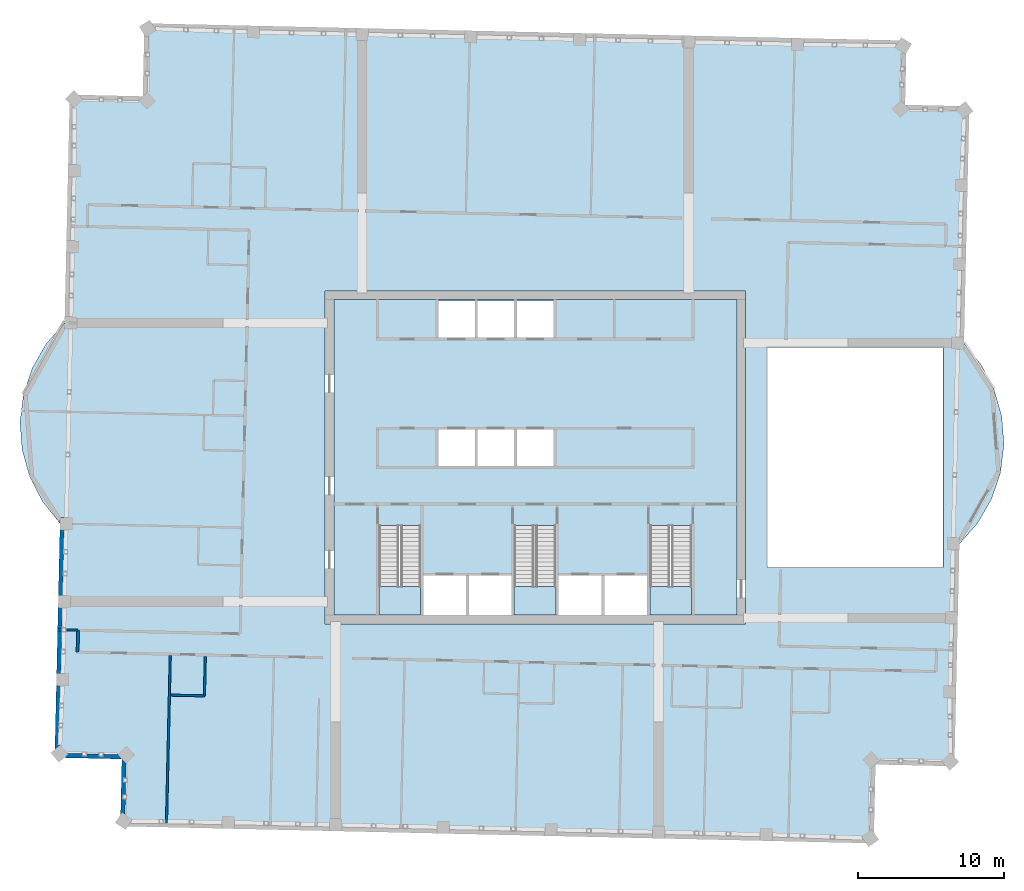
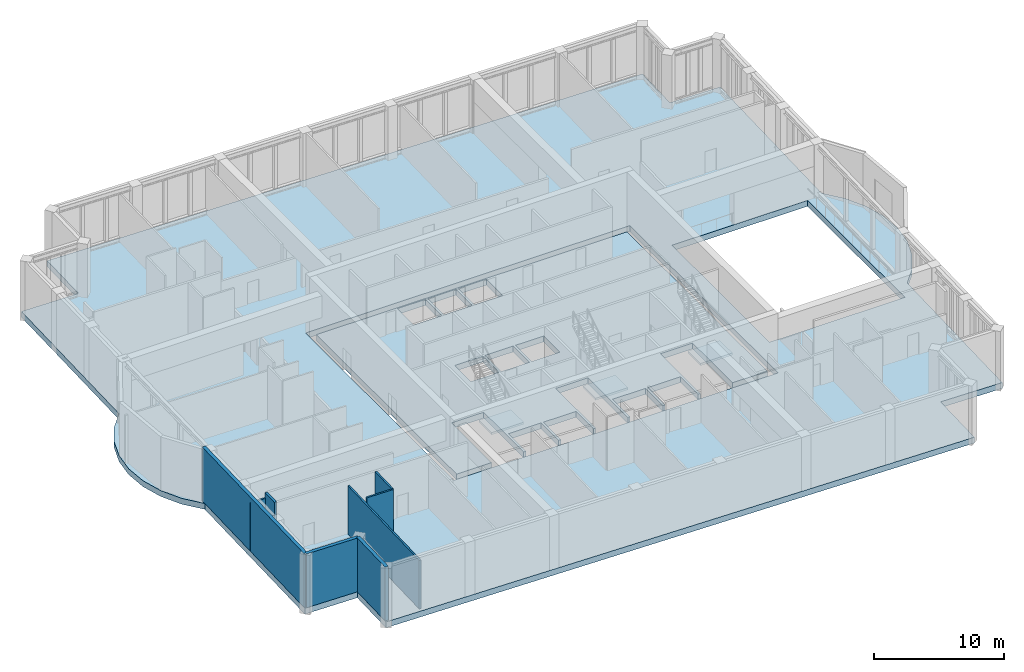
# One storey, part 8 of 16: 8 walls, 5 slabs, 3 elements without a shape of their own.
"""IFC4 building model written with IfcOpenShell, lengths in metres."""

from ifc_helpers import new_model, si_unit, direction, frame, frame_2d, origin, place, context, subcontext, project, spatial, polyline, rectangle, outline, extrude, material, layer, layer_set, type_object, element, aggregate, save


model = new_model("IFC4")

# Units and contexts
model_context = context("Model", 3, precision=1e-05, world=origin(), true_north=direction((0.0, 1.0)))
body_context = subcontext(model_context, "Body", "Model", "MODEL_VIEW")
ifc_project = project(units=[si_unit("LENGTHUNIT", "METRE"), si_unit("AREAUNIT", "SQUARE_METRE"), si_unit("VOLUMEUNIT", "CUBIC_METRE"), si_unit("PLANEANGLEUNIT", "RADIAN"), si_unit("MASSUNIT", "GRAM", prefix="KILO")], contexts=[model_context])

# Site, building, storey
site_placement = place(None, origin())
site = spatial("IfcSite", under=ifc_project, at=site_placement, CompositionType="ELEMENT")
building_placement = place(site_placement, origin())
building = spatial("IfcBuilding", under=site, at=building_placement, Name="Mangrove Gate Tower", CompositionType="ELEMENT")
storey_placement = place(building_placement, frame((0.0, 0.0, 324.10009765625)))
storey = spatial("IfcBuildingStorey", under=building, at=storey_placement, Name="L83", CompositionType="ELEMENT", Elevation=324.10009765625)

# Slab
ifc_material_1 = material(Name="Concrete C40/50", Category="concrete")
ifc_layer_1 = layer(ifc_material_1, 0.550048828125)
ifc_layer_set_1 = layer_set([ifc_layer_1], Name="Core floor slab 550 C40/50")
slab_type_1 = type_object("IfcSlabType", Name="Core floor slab 550 C40/50", PredefinedType="FLOOR", material=ifc_layer_set_1)
slab_1_placement = place(storey_placement, frame((0.0, 0.0, -0.550048828125)))
element("IfcSlab", 1, at=slab_1_placement, inside=storey, type_object=slab_type_1, Name="SLAB-L83-CORE-1", PredefinedType="FLOOR", context=body_context, shape_type="SweptSolid", body=[
    extrude(outline(polyline([(-13.800048828125, -10.800048828125), (-13.800048828125, 10.800048828125), (13.800048828125, 10.800048828125), (13.800048828125, -10.800048828125), (10.699951171875, -10.800048828125), (10.699951171875, -4.653076171875), (7.85009765625, -4.653076171875), (7.85009765625, -10.800048828125), (7.64990234375, -10.800048828125), (7.64990234375, -8.10009765625), (4.72509765625, -8.10009765625), (4.72509765625, -10.800048828125), (4.52490234375, -10.800048828125), (4.52490234375, -8.10009765625), (1.60009765625, -8.10009765625), (1.60009765625, -10.800048828125), (1.39990234375, -10.800048828125), (1.39990234375, -4.653076171875), (-1.449951171875, -4.653076171875), (-1.449951171875, -10.800048828125), (-1.64990234375, -10.800048828125), (-1.64990234375, -8.10009765625), (-4.550048828125, -8.10009765625), (-4.550048828125, -10.800048828125), (-4.75, -10.800048828125), (-4.75, -8.10009765625), (-7.64990234375, -8.10009765625), (-7.64990234375, -10.800048828125), (-7.85009765625, -10.800048828125), (-7.85009765625, -4.653076171875), (-10.699951171875, -4.653076171875), (-10.699951171875, -10.800048828125), (-13.800048828125, -10.800048828125)]), holes=[polyline([(-4.14990234375, 1.89990234375), (-6.64990234375, 1.89990234375), (-6.64990234375, -0.60009765625), (-4.14990234375, -0.60009765625), (-4.14990234375, 1.89990234375)]), polyline([(-1.449951171875, -0.60009765625), (-1.449951171875, 1.89990234375), (-3.949951171875, 1.89990234375), (-3.949951171875, -0.60009765625), (-1.449951171875, -0.60009765625)]), polyline([(-4.14990234375, 8.199951171875), (-4.14990234375, 10.699951171875), (-6.64990234375, 10.699951171875), (-6.64990234375, 8.199951171875), (-4.14990234375, 8.199951171875)]), polyline([(-1.449951171875, 10.699951171875), (-3.949951171875, 10.699951171875), (-3.949951171875, 8.199951171875), (-1.449951171875, 8.199951171875), (-1.449951171875, 10.699951171875)]), polyline([(1.25, -0.60009765625), (1.25, 1.89990234375), (-1.25, 1.89990234375), (-1.25, -0.60009765625), (1.25, -0.60009765625)]), polyline([(1.25, 8.199951171875), (1.25, 10.699951171875), (-1.25, 10.699951171875), (-1.25, 8.199951171875), (1.25, 8.199951171875)])]), origin(), (0.0, 0.0, 1.0), 0.550048828125),
])

# Stair, slab
ifc_material_2 = material(Name="Concrete C40/50", Category="concrete")
stair_type = type_object("IfcStairType", Name="Core stair 1350", PredefinedType="HALF_TURN_STAIR", material=ifc_material_2)
stair_1_placement = place(storey_placement, origin())
stair_1 = element("IfcStair", 2, at=stair_1_placement, inside=storey, type_object=stair_type, Name="L83 Stair 1", PredefinedType="HALF_TURN_STAIR")
ifc_material_3 = material(Name="Concrete C40/50", Category="concrete")
ifc_layer_2 = layer(ifc_material_3, 0.199951171875)
ifc_layer_set_2 = layer_set([ifc_layer_2], Name="Core stair landing 200")
slab_type_2 = type_object("IfcSlabType", Name="Core stair landing 200", PredefinedType="LANDING", material=ifc_layer_set_2)
slab_2_placement = place(storey_placement, frame((0.0, 0.0, 2.599853515625)))
slab_2 = element("IfcSlab", 3, at=slab_2_placement, type_object=slab_type_2, Name="ST1 landing 1", PredefinedType="LANDING", context=body_context, shape_type="SweptSolid", body=[
    extrude(outline(polyline([(-10.699951171875, -8.85009765625), (-10.699951171875, -10.800048828125), (-7.85009765625, -10.800048828125), (-7.85009765625, -8.85009765625), (-10.699951171875, -8.85009765625)])), origin(), (0.0, 0.0, 1.0), 0.199951171875),
])
aggregate(stair_1, [slab_2])

stair_2_placement = place(storey_placement, origin())
stair_2 = element("IfcStair", 4, at=stair_2_placement, inside=storey, type_object=stair_type, Name="L83 Stair 2", PredefinedType="HALF_TURN_STAIR")
slab_3_placement = place(storey_placement, frame((0.0, 0.0, 2.599853515625)))
slab_3 = element("IfcSlab", 5, at=slab_3_placement, type_object=slab_type_2, Name="ST2 landing 1", PredefinedType="LANDING", context=body_context, shape_type="SweptSolid", body=[
    extrude(outline(polyline([(-1.449951171875, -8.85009765625), (-1.449951171875, -10.800048828125), (1.39990234375, -10.800048828125), (1.39990234375, -8.85009765625), (-1.449951171875, -8.85009765625)])), origin(), (0.0, 0.0, 1.0), 0.199951171875),
])
aggregate(stair_2, [slab_3])

stair_3_placement = place(storey_placement, origin())
stair_3 = element("IfcStair", 6, at=stair_3_placement, inside=storey, type_object=stair_type, Name="L83 Stair 3", PredefinedType="HALF_TURN_STAIR")
slab_4_placement = place(storey_placement, frame((0.0, 0.0, 2.599853515625)))
slab_4 = element("IfcSlab", 7, at=slab_4_placement, type_object=slab_type_2, Name="ST3 landing 1", PredefinedType="LANDING", context=body_context, shape_type="SweptSolid", body=[
    extrude(outline(polyline([(7.85009765625, -8.85009765625), (7.85009765625, -10.800048828125), (10.699951171875, -10.800048828125), (10.699951171875, -8.85009765625), (7.85009765625, -8.85009765625)])), origin(), (0.0, 0.0, 1.0), 0.199951171875),
])
aggregate(stair_3, [slab_4])

# Slab
ifc_material_4 = material(Name="Concrete C40/50", Category="concrete")
ifc_layer_3 = layer(ifc_material_4, 0.550048828125)
ifc_layer_set_3 = layer_set([ifc_layer_3], Name="Floor slab 550 C40/50")
slab_type_3 = type_object("IfcSlabType", Name="Floor slab 550 C40/50", PredefinedType="FLOOR", material=ifc_layer_set_3)
slab_5_placement = place(storey_placement, frame((0.0, 0.0, -0.550048828125)))
element("IfcSlab", 8, at=slab_5_placement, inside=storey, type_object=slab_type_3, Name="Floor slab L83", PredefinedType="FLOOR", context=body_context, shape_type="SweptSolid", body=[
    extrude(outline(polyline([(-28.417236328125, -25.24853515625), (23.169677734375, -26.419189453125), (23.2919921875, -21.0205078125), (28.690673828125, -21.14306640625), (29.0361328125, -5.92236328125), (30.299072265625, -4.48583984375), (31.252197265625, -2.827392578125), (31.857666015625, -1.012939453125), (32.09130859375, 0.885498046875), (31.944091796875, 2.79248046875), (31.42138671875, 4.632568359375), (30.544677734375, 6.33251953125), (29.34814453125, 7.82470703125), (29.716064453125, 24.045166015625), (25.3173828125, 24.14501953125), (25.4169921875, 28.5439453125), (-26.76953125, 29.728271484375), (-26.8828125, 24.7294921875), (-31.881591796875, 24.843017578125), (-32.236083984375, 9.222412109375), (-33.4990234375, 7.785888671875), (-34.4521484375, 6.12744140625), (-35.0576171875, 4.31298828125), (-35.291259765625, 2.41455078125), (-35.14404296875, 0.507568359375), (-34.62158203125, -1.33251953125), (-33.74462890625, -3.032470703125), (-32.548095703125, -4.524658203125), (-32.91162109375, -20.54541015625), (-28.312744140625, -20.649658203125), (-28.417236328125, -25.24853515625)]), holes=[polyline([(15.89990234375, 7.5), (27.922119140625, 7.5), (27.922119140625, -7.5), (15.89990234375, -7.5), (15.89990234375, 7.5)]), polyline([(-14.39990234375, -11.39990234375), (-14.39990234375, 11.39990234375), (14.39990234375, 11.39990234375), (14.39990234375, -11.39990234375), (-14.39990234375, -11.39990234375)])]), origin(), (0.0, 0.0, 1.0), 0.550048828125),
])

# Walls
ifc_material_5 = material(Name="Gypsum board on steel stud, EI 60", Category="steel")
ifc_layer_4 = layer(ifc_material_5, 0.199951171875)
ifc_layer_set_4 = layer_set([ifc_layer_4], Name="Corridor wall EI 60")
wall_type_1 = type_object("IfcWallType", Name="Corridor wall EI 60", PredefinedType="PARTITIONING", material=ifc_layer_set_4)
wall_1_placement = place(storey_placement, frame((-31.346923828125, -13.3291015625, 0.0), z_axis=(0.0, 0.0, 1.0), x_axis=(0.022617910375, 0.999744182344, 0.0)))
element("IfcWall", 9, at=wall_1_placement, inside=storey, type_object=wall_type_1, Name="WALL-L83-021", PredefinedType="PARTITIONING", context=body_context, shape_type="SweptSolid", body=[
    extrude(rectangle(XDim=1.50048828125, YDim=0.199951171875, at=frame_2d((0.750244140625, 0.0))), origin(), (0.0, 0.0, 1.0), 5.0498046875),
])
ifc_material_6 = material(Name="Limestone", Category="masonry")
ifc_layer_5 = layer(ifc_material_6, 0.0400390625, Name="Limestone cladding")
ifc_material_7 = material(Name="Ventilated air gap")
ifc_layer_6 = layer(ifc_material_7, 0.0400390625, Name="Ventilated cavity")
ifc_material_8 = material(Name="Mineral wool insulation")
ifc_layer_7 = layer(ifc_material_8, 0.06005859375, Name="Insulation")
ifc_material_9 = material(Name="Breather membrane")
ifc_layer_8 = layer(ifc_material_9, 0.001953125, Name="Breather membrane")
ifc_material_10 = material(Name="Concrete C20/25 blockwork", Category="masonry")
ifc_layer_9 = layer(ifc_material_10, 0.14990234375, Name="Blockwork backing wall")
ifc_material_11 = material(Name="Gypsum plaster")
ifc_layer_10 = layer(ifc_material_11, 0.008056640625, Name="Internal plaster")
ifc_layer_set_5 = layer_set([ifc_layer_5, ifc_layer_6, ifc_layer_7, ifc_layer_8, ifc_layer_9, ifc_layer_10], Name="External wall 300 limestone cladding")
wall_type_2 = type_object("IfcWallType", Name="External wall 300 limestone cladding", PredefinedType="SOLIDWALL", material=ifc_layer_set_5)
wall_2_placement = place(storey_placement, frame((-32.387939453125, -4.10400390625, 0.0), z_axis=(0.0, 0.0, 1.0), x_axis=(-0.02270779533, -0.999742144771, 0.0)))
element("IfcWall", 10, at=wall_2_placement, inside=storey, type_object=wall_type_2, Name="WALL-L83-W10s1", PredefinedType="SOLIDWALL", context=body_context, shape_type="SweptSolid", body=[
    extrude(rectangle(XDim=16.299072265625, YDim=0.300048828125, at=frame_2d((8.1494140625, 0.0))), origin(), (0.0, 0.0, 1.0), 5.0498046875),
])
for number, where, z_axis, x_axis, name in (
    (11, (-32.758056640625, -20.39892578125, 0.0), (0.0, 0.0, 1.0), (0.999744404568, -0.02260808559, 0.0), "WALL-L83-S11"),
    (12, (-28.158935546875, -20.5029296875, 0.0), (0.0, 0.0, 1.0), (-0.022820258049, -0.999739584003, 0.0), "WALL-L83-W12"),
):
    element("IfcWall", number, at=place(storey_placement, frame(where, z_axis=z_axis, x_axis=x_axis)), inside=storey, type_object=wall_type_2, Name=name, PredefinedType="SOLIDWALL", context=body_context, shape_type="SweptSolid", body=[
        extrude(rectangle(XDim=4.600341796875, YDim=0.300048828125, at=frame_2d((2.30029296875, 0.0))), origin(), (0.0, 0.0, 1.0), 5.0498046875),
    ])
ifc_material_12 = material(Name="Gypsum board on steel stud, EI 60", Category="steel")
ifc_layer_11 = layer(ifc_material_12, 0.14990234375)
ifc_layer_set_6 = layer_set([ifc_layer_11], Name="Party wall 150 EI 60")
wall_type_3 = type_object("IfcWallType", Name="Party wall 150 EI 60", PredefinedType="PARTITIONING", material=ifc_layer_set_6)
wall_3_placement = place(storey_placement, frame((-25.260986328125, -25.02001953125, 0.0), z_axis=(0.0, 0.0, 1.0), x_axis=(0.022708327922, 0.999742132674, 0.0)))
element("IfcWall", 13, at=wall_3_placement, inside=storey, type_object=wall_type_3, Name="WALL-L83-001", PredefinedType="PARTITIONING", context=body_context, shape_type="SweptSolid", body=[
    extrude(rectangle(XDim=11.449951171875, YDim=0.14990234375, at=frame_2d((5.72509765625, 0.0))), origin(), (0.0, 0.0, 1.0), 4.5498046875),
])
wall_4_placement = place(storey_placement, frame((-24.988037109375, -16.27392578125, 0.0), z_axis=(0.0, 0.0, 1.0), x_axis=(0.999740478815, -0.022781023197, 0.0)))
element("IfcWall", 14, at=wall_4_placement, inside=storey, type_object=wall_type_3, Name="WALL-L83-011", PredefinedType="PARTITIONING", context=body_context, shape_type="SweptSolid", body=[
    extrude(rectangle(XDim=2.325439453125, YDim=0.14990234375, at=frame_2d((1.16259765625, 0.0))), origin(), (0.0, 0.0, 1.0), 5.0498046875),
])
wall_5_placement = place(storey_placement, frame((-22.6630859375, -16.326904296875, 0.0), z_axis=(0.0, 0.0, 1.0), x_axis=(0.022600248254, 0.99974458177, 0.0)))
element("IfcWall", 15, at=wall_5_placement, inside=storey, type_object=wall_type_3, Name="WALL-L83-012", PredefinedType="PARTITIONING", context=body_context, shape_type="SweptSolid", body=[
    extrude(rectangle(XDim=2.70068359375, YDim=0.14990234375, at=frame_2d((1.350341796875, 0.0))), origin(), (0.0, 0.0, 1.0), 5.0498046875),
])
wall_6_placement = place(storey_placement, frame((-32.712890625, -11.798095703125, 0.0), z_axis=(0.0, 0.0, 1.0), x_axis=(0.999756172383, -0.022081571112, 0.0)))
element("IfcWall", 16, at=wall_6_placement, inside=storey, type_object=wall_type_3, Name="WALL-L83-025", PredefinedType="PARTITIONING", context=body_context, shape_type="SweptSolid", body=[
    extrude(rectangle(XDim=1.404052734375, YDim=0.14990234375, at=frame_2d((0.7021484375, 0.0))), origin(), (0.0, 0.0, 1.0), 4.5498046875),
])

save(model, "model.ifc")
